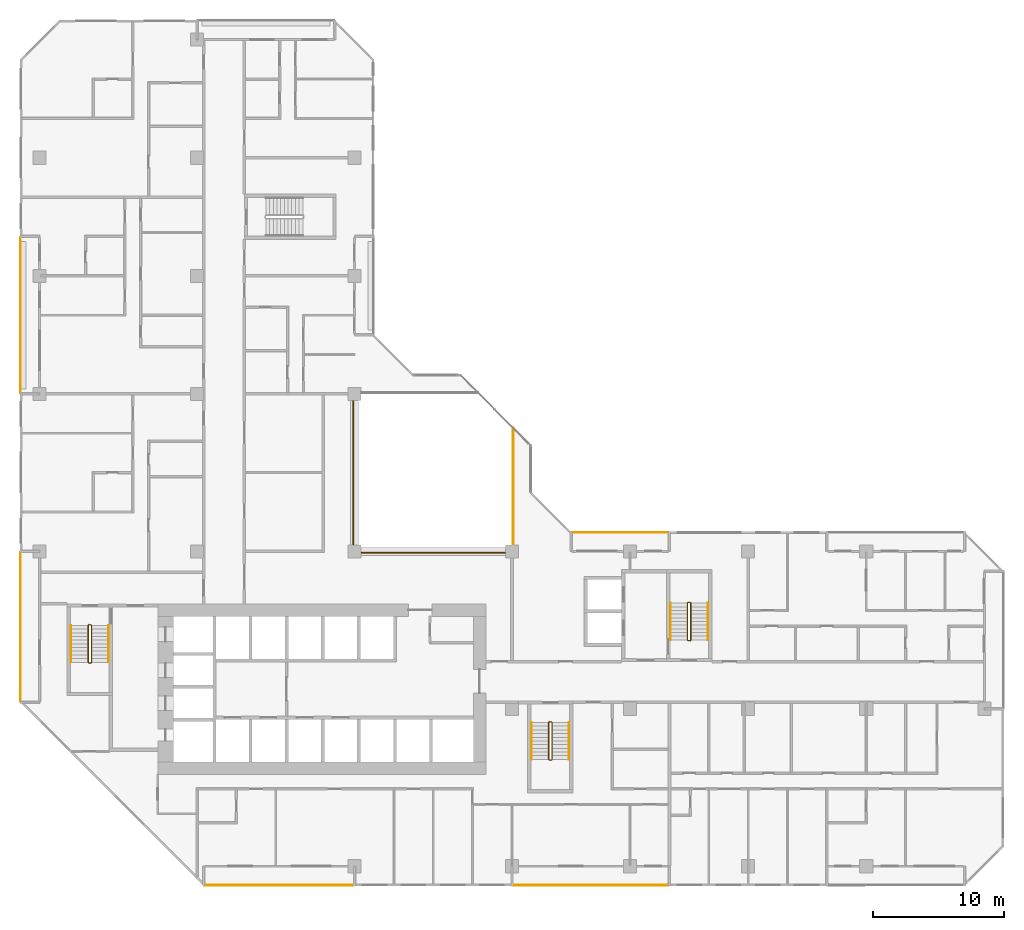
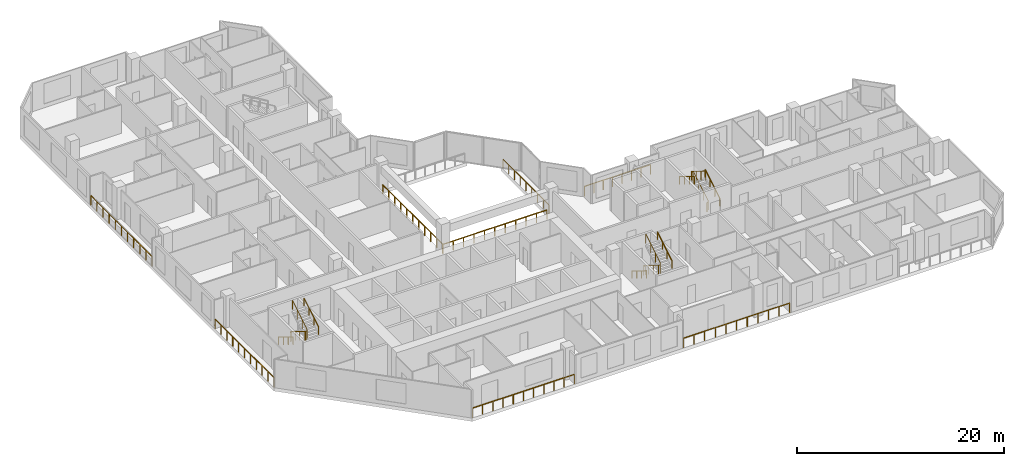
# One storey, part 14 of 15: 16 railings.
"""IFC4 building model written with IfcOpenShell, lengths in metres."""

from ifc_helpers import new_model, si_unit, direction, frame, origin, origin_2d, place, context, subcontext, project, spatial, rectangle, extrude, material, type_object, element, save


model = new_model("IFC4")

# Units and contexts
model_context = context("Model", 3, precision=1e-05, world=origin(), true_north=direction((0.0, 1.0)))
body_context = subcontext(model_context, "Body", "Model", "MODEL_VIEW")
ifc_project = project(units=[si_unit("LENGTHUNIT", "METRE"), si_unit("AREAUNIT", "SQUARE_METRE"), si_unit("VOLUMEUNIT", "CUBIC_METRE"), si_unit("PLANEANGLEUNIT", "RADIAN"), si_unit("MASSUNIT", "GRAM", prefix="KILO")], contexts=[model_context])

# Site, building, storey
site_placement = place(None, origin())
site = spatial("IfcSite", under=ifc_project, at=site_placement, CompositionType="ELEMENT")
building_placement = place(site_placement, origin())
building = spatial("IfcBuilding", under=site, at=building_placement, Name="Chenar Terraces", CompositionType="ELEMENT")
storey_placement = place(building_placement, frame((0.0, 0.0, 133.14990234375)))
storey = spatial("IfcBuildingStorey", under=building, at=storey_placement, Name="L31", CompositionType="ELEMENT", Elevation=133.14990234375)

# Railings
ifc_material_1 = material(Name="Powder-coated steel", Category="steel")
railing_type_1 = type_object("IfcRailingType", Name="Guard 1100 steel rail with glass infill", PredefinedType="GUARDRAIL", material=ifc_material_1)
railing_1_placement = place(storey_placement, frame((23.89990234375, 35.5, 0.0)))
element("IfcRailing", 1, at=railing_1_placement, inside=storey, type_object=railing_type_1, Name="Guard L31-1", PredefinedType="GUARDRAIL", context=body_context, shape_type="SweptSolid", body=[
    extrude(rectangle(XDim=0.06005859375, YDim=0.06005859375, at=origin_2d()), frame((0.0, 0.0, 1.070068359375), z_axis=(0.0, -1.0, 0.0), x_axis=(1.0, 0.0, 0.0)), (0.0, 0.0, 1.0), 11.60009765625),
    extrude(rectangle(XDim=0.06005859375, YDim=0.06005859375, at=origin_2d()), frame((0.0, -11.60009765625, 1.070068359375), z_axis=(1.0, 0.0, 0.0), x_axis=(0.0, 1.0, 0.0)), (0.0, 0.0, 1.0), 11.60009765625),
    extrude(rectangle(XDim=0.050048828125, YDim=0.050048828125, at=origin_2d()), origin(), (0.0, 0.0, 1.0), 1.0400390625),
    extrude(rectangle(XDim=0.050048828125, YDim=0.050048828125, at=origin_2d()), frame((0.0, -1.159912109375, 0.0)), (0.0, 0.0, 1.0), 1.0400390625),
    extrude(rectangle(XDim=0.050048828125, YDim=0.050048828125, at=origin_2d()), frame((0.0, -2.320068359375, 0.0)), (0.0, 0.0, 1.0), 1.0400390625),
    extrude(rectangle(XDim=0.050048828125, YDim=0.050048828125, at=origin_2d()), frame((0.0, -3.47998046875, 0.0)), (0.0, 0.0, 1.0), 1.0400390625),
    extrude(rectangle(XDim=0.050048828125, YDim=0.050048828125, at=origin_2d()), frame((0.0, -4.64013671875, 0.0)), (0.0, 0.0, 1.0), 1.0400390625),
    extrude(rectangle(XDim=0.050048828125, YDim=0.050048828125, at=origin_2d()), frame((0.0, -5.800048828125, 0.0)), (0.0, 0.0, 1.0), 1.0400390625),
    extrude(rectangle(XDim=0.050048828125, YDim=0.050048828125, at=origin_2d()), frame((0.0, -6.9599609375, 0.0)), (0.0, 0.0, 1.0), 1.0400390625),
    extrude(rectangle(XDim=0.050048828125, YDim=0.050048828125, at=origin_2d()), frame((0.0, -8.1201171875, 0.0)), (0.0, 0.0, 1.0), 1.0400390625),
    extrude(rectangle(XDim=0.050048828125, YDim=0.050048828125, at=origin_2d()), frame((0.0, -9.280029296875, 0.0)), (0.0, 0.0, 1.0), 1.0400390625),
    extrude(rectangle(XDim=0.050048828125, YDim=0.050048828125, at=origin_2d()), frame((0.0, -10.440185546875, 0.0)), (0.0, 0.0, 1.0), 1.0400390625),
    extrude(rectangle(XDim=0.050048828125, YDim=0.050048828125, at=origin_2d()), frame((0.0, -11.60009765625, 0.0)), (0.0, 0.0, 1.0), 1.0400390625),
    extrude(rectangle(XDim=0.050048828125, YDim=0.050048828125, at=origin_2d()), frame((1.159912109375, -11.60009765625, 0.0)), (0.0, 0.0, 1.0), 1.0400390625),
    extrude(rectangle(XDim=0.050048828125, YDim=0.050048828125, at=origin_2d()), frame((2.320068359375, -11.60009765625, 0.0)), (0.0, 0.0, 1.0), 1.0400390625),
    extrude(rectangle(XDim=0.050048828125, YDim=0.050048828125, at=origin_2d()), frame((3.47998046875, -11.60009765625, 0.0)), (0.0, 0.0, 1.0), 1.0400390625),
    extrude(rectangle(XDim=0.050048828125, YDim=0.050048828125, at=origin_2d()), frame((4.64013671875, -11.60009765625, 0.0)), (0.0, 0.0, 1.0), 1.0400390625),
    extrude(rectangle(XDim=0.050048828125, YDim=0.050048828125, at=origin_2d()), frame((5.800048828125, -11.60009765625, 0.0)), (0.0, 0.0, 1.0), 1.0400390625),
    extrude(rectangle(XDim=0.050048828125, YDim=0.050048828125, at=origin_2d()), frame((6.9599609375, -11.60009765625, 0.0)), (0.0, 0.0, 1.0), 1.0400390625),
    extrude(rectangle(XDim=0.050048828125, YDim=0.050048828125, at=origin_2d()), frame((8.1201171875, -11.60009765625, 0.0)), (0.0, 0.0, 1.0), 1.0400390625),
    extrude(rectangle(XDim=0.050048828125, YDim=0.050048828125, at=origin_2d()), frame((9.280029296875, -11.60009765625, 0.0)), (0.0, 0.0, 1.0), 1.0400390625),
    extrude(rectangle(XDim=0.050048828125, YDim=0.050048828125, at=origin_2d()), frame((10.440185546875, -11.60009765625, 0.0)), (0.0, 0.0, 1.0), 1.0400390625),
    extrude(rectangle(XDim=0.050048828125, YDim=0.050048828125, at=origin_2d()), frame((11.60009765625, -11.60009765625, 0.0)), (0.0, 0.0, 1.0), 1.0400390625),
])
railing_2_placement = place(storey_placement, frame((36.10009765625, 24.550048828125, 0.0)))
element("IfcRailing", 2, at=railing_2_placement, inside=storey, type_object=railing_type_1, Name="Guard L31-3", PredefinedType="GUARDRAIL", context=body_context, shape_type="SweptSolid", body=[
    extrude(rectangle(XDim=0.06005859375, YDim=0.06005859375, at=origin_2d()), frame((0.0, 0.0, 1.070068359375), z_axis=(0.0, 1.0, 0.0), x_axis=(-1.0, 0.0, 0.0)), (0.0, 0.0, 1.0), 8.849853515625),
    extrude(rectangle(XDim=0.050048828125, YDim=0.050048828125, at=origin_2d()), origin(), (0.0, 0.0, 1.0), 1.0400390625),
    extrude(rectangle(XDim=0.050048828125, YDim=0.050048828125, at=origin_2d()), frame((0.0, 1.106201171875, 0.0)), (0.0, 0.0, 1.0), 1.0400390625),
    extrude(rectangle(XDim=0.050048828125, YDim=0.050048828125, at=origin_2d()), frame((0.0, 2.21240234375, 0.0)), (0.0, 0.0, 1.0), 1.0400390625),
    extrude(rectangle(XDim=0.050048828125, YDim=0.050048828125, at=origin_2d()), frame((0.0, 3.318603515625, 0.0)), (0.0, 0.0, 1.0), 1.0400390625),
    extrude(rectangle(XDim=0.050048828125, YDim=0.050048828125, at=origin_2d()), frame((0.0, 4.4248046875, 0.0)), (0.0, 0.0, 1.0), 1.0400390625),
    extrude(rectangle(XDim=0.050048828125, YDim=0.050048828125, at=origin_2d()), frame((0.0, 5.53125, 0.0)), (0.0, 0.0, 1.0), 1.0400390625),
    extrude(rectangle(XDim=0.050048828125, YDim=0.050048828125, at=origin_2d()), frame((0.0, 6.637451171875, 0.0)), (0.0, 0.0, 1.0), 1.0400390625),
    extrude(rectangle(XDim=0.050048828125, YDim=0.050048828125, at=origin_2d()), frame((0.0, 7.74365234375, 0.0)), (0.0, 0.0, 1.0), 1.0400390625),
    extrude(rectangle(XDim=0.050048828125, YDim=0.050048828125, at=origin_2d()), frame((0.0, 8.849853515625, 0.0)), (0.0, 0.0, 1.0), 1.0400390625),
])
ifc_material_2 = material(Name="Stainless steel and glass", Category="steel")
railing_type_2 = type_object("IfcRailingType", Name="Loggia guard 1150", PredefinedType="GUARDRAIL", material=ifc_material_2)
railing_3_placement = place(storey_placement, frame((47.925048828125, 25.449951171875, 0.0)))
element("IfcRailing", 3, at=railing_3_placement, inside=storey, type_object=railing_type_2, Name="Loggia guard", PredefinedType="GUARDRAIL", context=body_context, shape_type="SweptSolid", body=[
    extrude(rectangle(XDim=0.048095703125, YDim=0.048095703125, at=origin_2d()), frame((0.0, 0.0, 1.1259765625), z_axis=(-1.0, 0.0, 0.0), x_axis=(0.0, -1.0, 0.0)), (0.0, 0.0, 1.0), 7.35009765625),
    extrude(rectangle(XDim=0.0419921875, YDim=0.0419921875, at=origin_2d()), origin(), (0.0, 0.0, 1.0), 1.101806640625),
    extrude(rectangle(XDim=0.0419921875, YDim=0.0419921875, at=origin_2d()), frame((-1.050048828125, 0.0, 0.0)), (0.0, 0.0, 1.0), 1.101806640625),
    extrude(rectangle(XDim=0.0419921875, YDim=0.0419921875, at=origin_2d()), frame((-2.10009765625, 0.0, 0.0)), (0.0, 0.0, 1.0), 1.101806640625),
    extrude(rectangle(XDim=0.0419921875, YDim=0.0419921875, at=origin_2d()), frame((-3.150146484375, 0.0, 0.0)), (0.0, 0.0, 1.0), 1.101806640625),
    extrude(rectangle(XDim=0.0419921875, YDim=0.0419921875, at=origin_2d()), frame((-4.199951171875, 0.0, 0.0)), (0.0, 0.0, 1.0), 1.101806640625),
    extrude(rectangle(XDim=0.0419921875, YDim=0.0419921875, at=origin_2d()), frame((-5.25, 0.0, 0.0)), (0.0, 0.0, 1.0), 1.101806640625),
    extrude(rectangle(XDim=0.0419921875, YDim=0.0419921875, at=origin_2d()), frame((-6.300048828125, 0.0, 0.0)), (0.0, 0.0, 1.0), 1.101806640625),
    extrude(rectangle(XDim=0.0419921875, YDim=0.0419921875, at=origin_2d()), frame((-7.35009765625, 0.0, 0.0)), (0.0, 0.0, 1.0), 1.101806640625),
])
railing_4_placement = place(storey_placement, frame((12.574951171875, -1.449951171875, 0.0)))
element("IfcRailing", 4, at=railing_4_placement, inside=storey, type_object=railing_type_2, Name="Loggia guard", PredefinedType="GUARDRAIL", context=body_context, shape_type="SweptSolid", body=[
    extrude(rectangle(XDim=0.048095703125, YDim=0.048095703125, at=origin_2d()), frame((0.0, 0.0, 1.1259765625), z_axis=(1.0, 0.0, 0.0), x_axis=(0.0, 1.0, 0.0)), (0.0, 0.0, 1.0), 11.35009765625),
    extrude(rectangle(XDim=0.0419921875, YDim=0.0419921875, at=origin_2d()), origin(), (0.0, 0.0, 1.0), 1.101806640625),
    extrude(rectangle(XDim=0.0419921875, YDim=0.0419921875, at=origin_2d()), frame((1.135009765625, 0.0, 0.0)), (0.0, 0.0, 1.0), 1.101806640625),
    extrude(rectangle(XDim=0.0419921875, YDim=0.0419921875, at=origin_2d()), frame((2.27001953125, 0.0, 0.0)), (0.0, 0.0, 1.0), 1.101806640625),
    extrude(rectangle(XDim=0.0419921875, YDim=0.0419921875, at=origin_2d()), frame((3.405029296875, 0.0, 0.0)), (0.0, 0.0, 1.0), 1.101806640625),
    extrude(rectangle(XDim=0.0419921875, YDim=0.0419921875, at=origin_2d()), frame((4.5400390625, 0.0, 0.0)), (0.0, 0.0, 1.0), 1.101806640625),
    extrude(rectangle(XDim=0.0419921875, YDim=0.0419921875, at=origin_2d()), frame((5.675048828125, 0.0, 0.0)), (0.0, 0.0, 1.0), 1.101806640625),
    extrude(rectangle(XDim=0.0419921875, YDim=0.0419921875, at=origin_2d()), frame((6.81005859375, 0.0, 0.0)), (0.0, 0.0, 1.0), 1.101806640625),
    extrude(rectangle(XDim=0.0419921875, YDim=0.0419921875, at=origin_2d()), frame((7.945068359375, 0.0, 0.0)), (0.0, 0.0, 1.0), 1.101806640625),
    extrude(rectangle(XDim=0.0419921875, YDim=0.0419921875, at=origin_2d()), frame((9.080078125, 0.0, 0.0)), (0.0, 0.0, 1.0), 1.101806640625),
    extrude(rectangle(XDim=0.0419921875, YDim=0.0419921875, at=origin_2d()), frame((10.215087890625, 0.0, 0.0)), (0.0, 0.0, 1.0), 1.101806640625),
    extrude(rectangle(XDim=0.0419921875, YDim=0.0419921875, at=origin_2d()), frame((11.35009765625, 0.0, 0.0)), (0.0, 0.0, 1.0), 1.101806640625),
])
railing_5_placement = place(storey_placement, frame((36.074951171875, -1.449951171875, 0.0)))
element("IfcRailing", 5, at=railing_5_placement, inside=storey, type_object=railing_type_2, Name="Loggia guard", PredefinedType="GUARDRAIL", context=body_context, shape_type="SweptSolid", body=[
    extrude(rectangle(XDim=0.048095703125, YDim=0.048095703125, at=origin_2d()), frame((0.0, 0.0, 1.1259765625), z_axis=(1.0, 0.0, 0.0), x_axis=(0.0, 1.0, 0.0)), (0.0, 0.0, 1.0), 11.85009765625),
    extrude(rectangle(XDim=0.0419921875, YDim=0.0419921875, at=origin_2d()), origin(), (0.0, 0.0, 1.0), 1.101806640625),
    extrude(rectangle(XDim=0.0419921875, YDim=0.0419921875, at=origin_2d()), frame((1.18505859375, 0.0, 0.0)), (0.0, 0.0, 1.0), 1.101806640625),
    extrude(rectangle(XDim=0.0419921875, YDim=0.0419921875, at=origin_2d()), frame((2.3701171875, 0.0, 0.0)), (0.0, 0.0, 1.0), 1.101806640625),
    extrude(rectangle(XDim=0.0419921875, YDim=0.0419921875, at=origin_2d()), frame((3.554931640625, 0.0, 0.0)), (0.0, 0.0, 1.0), 1.101806640625),
    extrude(rectangle(XDim=0.0419921875, YDim=0.0419921875, at=origin_2d()), frame((4.739990234375, 0.0, 0.0)), (0.0, 0.0, 1.0), 1.101806640625),
    extrude(rectangle(XDim=0.0419921875, YDim=0.0419921875, at=origin_2d()), frame((5.925048828125, 0.0, 0.0)), (0.0, 0.0, 1.0), 1.101806640625),
    extrude(rectangle(XDim=0.0419921875, YDim=0.0419921875, at=origin_2d()), frame((7.110107421875, 0.0, 0.0)), (0.0, 0.0, 1.0), 1.101806640625),
    extrude(rectangle(XDim=0.0419921875, YDim=0.0419921875, at=origin_2d()), frame((8.295166015625, 0.0, 0.0)), (0.0, 0.0, 1.0), 1.101806640625),
    extrude(rectangle(XDim=0.0419921875, YDim=0.0419921875, at=origin_2d()), frame((9.47998046875, 0.0, 0.0)), (0.0, 0.0, 1.0), 1.101806640625),
    extrude(rectangle(XDim=0.0419921875, YDim=0.0419921875, at=origin_2d()), frame((10.6650390625, 0.0, 0.0)), (0.0, 0.0, 1.0), 1.101806640625),
    extrude(rectangle(XDim=0.0419921875, YDim=0.0419921875, at=origin_2d()), frame((11.85009765625, 0.0, 0.0)), (0.0, 0.0, 1.0), 1.101806640625),
])
railing_6_placement = place(storey_placement, frame((-1.449951171875, 47.925048828125, 0.0)))
element("IfcRailing", 6, at=railing_6_placement, inside=storey, type_object=railing_type_2, Name="Loggia guard", PredefinedType="GUARDRAIL", context=body_context, shape_type="SweptSolid", body=[
    extrude(rectangle(XDim=0.048095703125, YDim=0.048095703125, at=origin_2d()), frame((0.0, 0.0, 1.1259765625), z_axis=(0.0, -1.0, 0.0), x_axis=(1.0, 0.0, 0.0)), (0.0, 0.0, 1.0), 11.85009765625),
    extrude(rectangle(XDim=0.0419921875, YDim=0.0419921875, at=origin_2d()), origin(), (0.0, 0.0, 1.0), 1.101806640625),
    extrude(rectangle(XDim=0.0419921875, YDim=0.0419921875, at=origin_2d()), frame((0.0, -1.18505859375, 0.0)), (0.0, 0.0, 1.0), 1.101806640625),
    extrude(rectangle(XDim=0.0419921875, YDim=0.0419921875, at=origin_2d()), frame((0.0, -2.3701171875, 0.0)), (0.0, 0.0, 1.0), 1.101806640625),
    extrude(rectangle(XDim=0.0419921875, YDim=0.0419921875, at=origin_2d()), frame((0.0, -3.554931640625, 0.0)), (0.0, 0.0, 1.0), 1.101806640625),
    extrude(rectangle(XDim=0.0419921875, YDim=0.0419921875, at=origin_2d()), frame((0.0, -4.739990234375, 0.0)), (0.0, 0.0, 1.0), 1.101806640625),
    extrude(rectangle(XDim=0.0419921875, YDim=0.0419921875, at=origin_2d()), frame((0.0, -5.925048828125, 0.0)), (0.0, 0.0, 1.0), 1.101806640625),
    extrude(rectangle(XDim=0.0419921875, YDim=0.0419921875, at=origin_2d()), frame((0.0, -7.110107421875, 0.0)), (0.0, 0.0, 1.0), 1.101806640625),
    extrude(rectangle(XDim=0.0419921875, YDim=0.0419921875, at=origin_2d()), frame((0.0, -8.295166015625, 0.0)), (0.0, 0.0, 1.0), 1.101806640625),
    extrude(rectangle(XDim=0.0419921875, YDim=0.0419921875, at=origin_2d()), frame((0.0, -9.47998046875, 0.0)), (0.0, 0.0, 1.0), 1.101806640625),
    extrude(rectangle(XDim=0.0419921875, YDim=0.0419921875, at=origin_2d()), frame((0.0, -10.6650390625, 0.0)), (0.0, 0.0, 1.0), 1.101806640625),
    extrude(rectangle(XDim=0.0419921875, YDim=0.0419921875, at=origin_2d()), frame((0.0, -11.85009765625, 0.0)), (0.0, 0.0, 1.0), 1.101806640625),
])
railing_7_placement = place(storey_placement, frame((-1.449951171875, 23.925048828125, 0.0)))
element("IfcRailing", 7, at=railing_7_placement, inside=storey, type_object=railing_type_2, Name="Loggia guard", PredefinedType="GUARDRAIL", context=body_context, shape_type="SweptSolid", body=[
    extrude(rectangle(XDim=0.048095703125, YDim=0.048095703125, at=origin_2d()), frame((0.0, 0.0, 1.1259765625), z_axis=(0.0, -1.0, 0.0), x_axis=(1.0, 0.0, 0.0)), (0.0, 0.0, 1.0), 11.35009765625),
    extrude(rectangle(XDim=0.0419921875, YDim=0.0419921875, at=origin_2d()), origin(), (0.0, 0.0, 1.0), 1.101806640625),
    extrude(rectangle(XDim=0.0419921875, YDim=0.0419921875, at=origin_2d()), frame((0.0, -1.135009765625, 0.0)), (0.0, 0.0, 1.0), 1.101806640625),
    extrude(rectangle(XDim=0.0419921875, YDim=0.0419921875, at=origin_2d()), frame((0.0, -2.27001953125, 0.0)), (0.0, 0.0, 1.0), 1.101806640625),
    extrude(rectangle(XDim=0.0419921875, YDim=0.0419921875, at=origin_2d()), frame((0.0, -3.405029296875, 0.0)), (0.0, 0.0, 1.0), 1.101806640625),
    extrude(rectangle(XDim=0.0419921875, YDim=0.0419921875, at=origin_2d()), frame((0.0, -4.5400390625, 0.0)), (0.0, 0.0, 1.0), 1.101806640625),
    extrude(rectangle(XDim=0.0419921875, YDim=0.0419921875, at=origin_2d()), frame((0.0, -5.675048828125, 0.0)), (0.0, 0.0, 1.0), 1.101806640625),
    extrude(rectangle(XDim=0.0419921875, YDim=0.0419921875, at=origin_2d()), frame((0.0, -6.81005859375, 0.0)), (0.0, 0.0, 1.0), 1.101806640625),
    extrude(rectangle(XDim=0.0419921875, YDim=0.0419921875, at=origin_2d()), frame((0.0, -7.945068359375, 0.0)), (0.0, 0.0, 1.0), 1.101806640625),
    extrude(rectangle(XDim=0.0419921875, YDim=0.0419921875, at=origin_2d()), frame((0.0, -9.080078125, 0.0)), (0.0, 0.0, 1.0), 1.101806640625),
    extrude(rectangle(XDim=0.0419921875, YDim=0.0419921875, at=origin_2d()), frame((0.0, -10.215087890625, 0.0)), (0.0, 0.0, 1.0), 1.101806640625),
    extrude(rectangle(XDim=0.0419921875, YDim=0.0419921875, at=origin_2d()), frame((0.0, -11.35009765625, 0.0)), (0.0, 0.0, 1.0), 1.101806640625),
])
ifc_material_3 = material(Name="Powder-coated steel", Category="steel")
railing_type_3 = type_object("IfcRailingType", Name="Stair guard 1100", PredefinedType="GUARDRAIL", material=ifc_material_3)
railing_8_placement = place(storey_placement, frame((3.949951171875, 18.35009765625, 3.75)))
element("IfcRailing", 8, at=railing_8_placement, inside=storey, type_object=railing_type_3, Name="L31 ST1 stair guard 1", PredefinedType="GUARDRAIL", context=body_context, shape_type="SweptSolid", body=[
    extrude(rectangle(XDim=0.048095703125, YDim=0.048095703125, at=origin_2d()), frame((0.0, 0.0, 1.076171875), z_axis=(0.0, -0.854202870247, -0.519939858505), x_axis=(1.0, 0.0, 0.0)), (0.0, 0.0, 1.0), 3.278076171875),
    extrude(rectangle(XDim=0.048095703125, YDim=0.048095703125, at=origin_2d()), frame((0.0, -2.800048828125, -0.62841796875), z_axis=(-0.270899902878, -0.270899902878, -0.923702595667), x_axis=(0.707106781187, -0.707106781187, 0.0)), (0.0, 0.0, 1.0), 0.184814453125),
    extrude(rectangle(XDim=0.048095703125, YDim=0.048095703125, at=origin_2d()), frame((-0.050048828125, -2.85009765625, -0.798828125), z_axis=(-1.0, 0.0, 0.0), x_axis=(0.0, -1.0, 0.0)), (0.0, 0.0, 1.0), 0.14990234375),
    extrude(rectangle(XDim=0.048095703125, YDim=0.048095703125, at=origin_2d()), frame((-0.199951171875, -2.85009765625, -0.798828125), z_axis=(-0.707106781187, 0.707106781187, 0.0), x_axis=(-0.707106781187, -0.707106781187, 0.0)), (0.0, 0.0, 1.0), 0.07080078125),
    extrude(rectangle(XDim=0.048095703125, YDim=0.048095703125, at=origin_2d()), frame((-0.25, -2.800048828125, -0.798828125), z_axis=(0.0, 0.854202870247, -0.519939858505), x_axis=(-1.0, 0.0, 0.0)), (0.0, 0.0, 1.0), 3.278076171875),
    extrude(rectangle(XDim=0.048095703125, YDim=0.048095703125, at=origin_2d()), frame((-0.25, 0.0, -2.50341796875), z_axis=(0.270996696079, 0.269674760976, -0.924032636873), x_axis=(-0.705375805398, 0.708833529934, 0.0)), (0.0, 0.0, 1.0), 0.1845703125),
    extrude(rectangle(XDim=0.048095703125, YDim=0.048095703125, at=origin_2d()), frame((-0.199951171875, 0.0498046875, -2.673828125), z_axis=(1.0, 0.0, 0.0), x_axis=(0.0, 1.0, 0.0)), (0.0, 0.0, 1.0), 0.14990234375),
    extrude(rectangle(XDim=0.0419921875, YDim=0.0419921875, at=origin_2d()), origin(), (0.0, 0.0, 1.0), 1.052001953125),
    extrude(rectangle(XDim=0.0419921875, YDim=0.0419921875, at=origin_2d()), frame((0.0, -0.933349609375, -0.568115234375)), (0.0, 0.0, 1.0), 1.052001953125),
    extrude(rectangle(XDim=0.0419921875, YDim=0.0419921875, at=origin_2d()), frame((0.0, -1.86669921875, -1.13623046875)), (0.0, 0.0, 1.0), 1.052001953125),
    extrude(rectangle(XDim=0.0419921875, YDim=0.0419921875, at=origin_2d()), frame((0.0, -2.800048828125, -1.704345703125)), (0.0, 0.0, 1.0), 1.052001953125),
    extrude(rectangle(XDim=0.0419921875, YDim=0.0419921875, at=origin_2d()), frame((-0.050048828125, -2.85009765625, -1.875)), (0.0, 0.0, 1.0), 1.052001953125),
    extrude(rectangle(XDim=0.0419921875, YDim=0.0419921875, at=origin_2d()), frame((-0.199951171875, -2.85009765625, -1.875)), (0.0, 0.0, 1.0), 1.052001953125),
    extrude(rectangle(XDim=0.0419921875, YDim=0.0419921875, at=origin_2d()), frame((-0.25, -2.800048828125, -1.875)), (0.0, 0.0, 1.0), 1.052001953125),
    extrude(rectangle(XDim=0.0419921875, YDim=0.0419921875, at=origin_2d()), frame((-0.25, -1.86669921875, -2.443115234375)), (0.0, 0.0, 1.0), 1.052001953125),
    extrude(rectangle(XDim=0.0419921875, YDim=0.0419921875, at=origin_2d()), frame((-0.25, -0.933349609375, -3.01123046875)), (0.0, 0.0, 1.0), 1.052001953125),
    extrude(rectangle(XDim=0.0419921875, YDim=0.0419921875, at=origin_2d()), frame((-0.25, 0.0, -3.579345703125)), (0.0, 0.0, 1.0), 1.052001953125),
    extrude(rectangle(XDim=0.0419921875, YDim=0.0419921875, at=origin_2d()), frame((-0.199951171875, 0.0498046875, -3.75)), (0.0, 0.0, 1.0), 1.052001953125),
    extrude(rectangle(XDim=0.0419921875, YDim=0.0419921875, at=origin_2d()), frame((-0.050048828125, 0.0498046875, -3.75)), (0.0, 0.0, 1.0), 1.052001953125),
])
railing_9_placement = place(storey_placement, frame((39.050048828125, 10.949951171875, 3.75)))
element("IfcRailing", 9, at=railing_9_placement, inside=storey, type_object=railing_type_3, Name="L31 ST2 stair guard 1", PredefinedType="GUARDRAIL", context=body_context, shape_type="SweptSolid", body=[
    extrude(rectangle(XDim=0.048095703125, YDim=0.048095703125, at=origin_2d()), frame((0.0, 0.0, 1.076171875), z_axis=(0.0, -0.854202870247, -0.519939858505), x_axis=(1.0, 0.0, 0.0)), (0.0, 0.0, 1.0), 3.278076171875),
    extrude(rectangle(XDim=0.048095703125, YDim=0.048095703125, at=origin_2d()), frame((0.0, -2.800048828125, -0.62841796875), z_axis=(-0.270996696079, -0.269674760976, -0.924032636873), x_axis=(0.705375805398, -0.708833529934, 0.0)), (0.0, 0.0, 1.0), 0.1845703125),
    extrude(rectangle(XDim=0.048095703125, YDim=0.048095703125, at=origin_2d()), frame((-0.050048828125, -2.849853515625, -0.798828125), z_axis=(-1.0, 0.0, 0.0), x_axis=(0.0, -1.0, 0.0)), (0.0, 0.0, 1.0), 0.14990234375),
    extrude(rectangle(XDim=0.048095703125, YDim=0.048095703125, at=origin_2d()), frame((-0.199951171875, -2.849853515625, -0.798828125), z_axis=(-0.708833529934, 0.705375805398, 0.0), x_axis=(-0.705375805398, -0.708833529934, 0.0)), (0.0, 0.0, 1.0), 0.070556640625),
    extrude(rectangle(XDim=0.048095703125, YDim=0.048095703125, at=origin_2d()), frame((-0.25, -2.800048828125, -0.798828125), z_axis=(0.0, 0.854202870247, -0.519939858505), x_axis=(-1.0, 0.0, 0.0)), (0.0, 0.0, 1.0), 3.278076171875),
    extrude(rectangle(XDim=0.048095703125, YDim=0.048095703125, at=origin_2d()), frame((-0.25, 0.0, -2.50341796875), z_axis=(0.270899902878, 0.270899902878, -0.923702595667), x_axis=(-0.707106781187, 0.707106781187, 0.0)), (0.0, 0.0, 1.0), 0.184814453125),
    extrude(rectangle(XDim=0.048095703125, YDim=0.048095703125, at=origin_2d()), frame((-0.199951171875, 0.050048828125, -2.673828125), z_axis=(1.0, 0.0, 0.0), x_axis=(0.0, 1.0, 0.0)), (0.0, 0.0, 1.0), 0.14990234375),
    extrude(rectangle(XDim=0.0419921875, YDim=0.0419921875, at=origin_2d()), origin(), (0.0, 0.0, 1.0), 1.052001953125),
    extrude(rectangle(XDim=0.0419921875, YDim=0.0419921875, at=origin_2d()), frame((0.0, -0.933349609375, -0.568115234375)), (0.0, 0.0, 1.0), 1.052001953125),
    extrude(rectangle(XDim=0.0419921875, YDim=0.0419921875, at=origin_2d()), frame((0.0, -1.86669921875, -1.13623046875)), (0.0, 0.0, 1.0), 1.052001953125),
    extrude(rectangle(XDim=0.0419921875, YDim=0.0419921875, at=origin_2d()), frame((0.0, -2.800048828125, -1.704345703125)), (0.0, 0.0, 1.0), 1.052001953125),
    extrude(rectangle(XDim=0.0419921875, YDim=0.0419921875, at=origin_2d()), frame((-0.050048828125, -2.849853515625, -1.875)), (0.0, 0.0, 1.0), 1.052001953125),
    extrude(rectangle(XDim=0.0419921875, YDim=0.0419921875, at=origin_2d()), frame((-0.199951171875, -2.849853515625, -1.875)), (0.0, 0.0, 1.0), 1.052001953125),
    extrude(rectangle(XDim=0.0419921875, YDim=0.0419921875, at=origin_2d()), frame((-0.25, -2.800048828125, -1.875)), (0.0, 0.0, 1.0), 1.052001953125),
    extrude(rectangle(XDim=0.0419921875, YDim=0.0419921875, at=origin_2d()), frame((-0.25, -1.86669921875, -2.443115234375)), (0.0, 0.0, 1.0), 1.052001953125),
    extrude(rectangle(XDim=0.0419921875, YDim=0.0419921875, at=origin_2d()), frame((-0.25, -0.933349609375, -3.01123046875)), (0.0, 0.0, 1.0), 1.052001953125),
    extrude(rectangle(XDim=0.0419921875, YDim=0.0419921875, at=origin_2d()), frame((-0.25, 0.0, -3.579345703125)), (0.0, 0.0, 1.0), 1.052001953125),
    extrude(rectangle(XDim=0.0419921875, YDim=0.0419921875, at=origin_2d()), frame((-0.199951171875, 0.050048828125, -3.75)), (0.0, 0.0, 1.0), 1.052001953125),
    extrude(rectangle(XDim=0.0419921875, YDim=0.0419921875, at=origin_2d()), frame((-0.050048828125, 0.050048828125, -3.75)), (0.0, 0.0, 1.0), 1.052001953125),
])
railing_10_placement = place(storey_placement, frame((49.375, 17.25, 3.75)))
element("IfcRailing", 10, at=railing_10_placement, inside=storey, type_object=railing_type_3, Name="L31 ST3 stair guard 1", PredefinedType="GUARDRAIL", context=body_context, shape_type="SweptSolid", body=[
    extrude(rectangle(XDim=0.048095703125, YDim=0.048095703125, at=origin_2d()), frame((0.0, 0.0, 1.076171875), z_axis=(0.0, 0.854202870247, -0.519939858505), x_axis=(-1.0, 0.0, 0.0)), (0.0, 0.0, 1.0), 3.278076171875),
    extrude(rectangle(XDim=0.048095703125, YDim=0.048095703125, at=origin_2d()), frame((0.0, 2.800048828125, -0.62841796875), z_axis=(0.270899902878, 0.270899902878, -0.923702595667), x_axis=(-0.707106781187, 0.707106781187, 0.0)), (0.0, 0.0, 1.0), 0.184814453125),
    extrude(rectangle(XDim=0.048095703125, YDim=0.048095703125, at=origin_2d()), frame((0.050048828125, 2.85009765625, -0.798828125), z_axis=(1.0, 0.0, 0.0), x_axis=(0.0, 1.0, 0.0)), (0.0, 0.0, 1.0), 0.14990234375),
    extrude(rectangle(XDim=0.048095703125, YDim=0.048095703125, at=origin_2d()), frame((0.199951171875, 2.85009765625, -0.798828125), z_axis=(0.707106781187, -0.707106781187, 0.0), x_axis=(0.707106781187, 0.707106781187, 0.0)), (0.0, 0.0, 1.0), 0.07080078125),
    extrude(rectangle(XDim=0.048095703125, YDim=0.048095703125, at=origin_2d()), frame((0.25, 2.800048828125, -0.798828125), z_axis=(0.0, -0.854202870247, -0.519939858505), x_axis=(1.0, 0.0, 0.0)), (0.0, 0.0, 1.0), 3.278076171875),
    extrude(rectangle(XDim=0.048095703125, YDim=0.048095703125, at=origin_2d()), frame((0.25, 0.0, -2.50341796875), z_axis=(-0.270899902878, -0.270899902878, -0.923702595667), x_axis=(0.707106781187, -0.707106781187, 0.0)), (0.0, 0.0, 1.0), 0.184814453125),
    extrude(rectangle(XDim=0.048095703125, YDim=0.048095703125, at=origin_2d()), frame((0.199951171875, -0.050048828125, -2.673828125), z_axis=(-1.0, 0.0, 0.0), x_axis=(0.0, -1.0, 0.0)), (0.0, 0.0, 1.0), 0.14990234375),
    extrude(rectangle(XDim=0.0419921875, YDim=0.0419921875, at=origin_2d()), origin(), (0.0, 0.0, 1.0), 1.052001953125),
    extrude(rectangle(XDim=0.0419921875, YDim=0.0419921875, at=origin_2d()), frame((0.0, 0.933349609375, -0.568115234375)), (0.0, 0.0, 1.0), 1.052001953125),
    extrude(rectangle(XDim=0.0419921875, YDim=0.0419921875, at=origin_2d()), frame((0.0, 1.86669921875, -1.13623046875)), (0.0, 0.0, 1.0), 1.052001953125),
    extrude(rectangle(XDim=0.0419921875, YDim=0.0419921875, at=origin_2d()), frame((0.0, 2.800048828125, -1.704345703125)), (0.0, 0.0, 1.0), 1.052001953125),
    extrude(rectangle(XDim=0.0419921875, YDim=0.0419921875, at=origin_2d()), frame((0.050048828125, 2.85009765625, -1.875)), (0.0, 0.0, 1.0), 1.052001953125),
    extrude(rectangle(XDim=0.0419921875, YDim=0.0419921875, at=origin_2d()), frame((0.199951171875, 2.85009765625, -1.875)), (0.0, 0.0, 1.0), 1.052001953125),
    extrude(rectangle(XDim=0.0419921875, YDim=0.0419921875, at=origin_2d()), frame((0.25, 2.800048828125, -1.875)), (0.0, 0.0, 1.0), 1.052001953125),
    extrude(rectangle(XDim=0.0419921875, YDim=0.0419921875, at=origin_2d()), frame((0.25, 1.86669921875, -2.443115234375)), (0.0, 0.0, 1.0), 1.052001953125),
    extrude(rectangle(XDim=0.0419921875, YDim=0.0419921875, at=origin_2d()), frame((0.25, 0.933349609375, -3.01123046875)), (0.0, 0.0, 1.0), 1.052001953125),
    extrude(rectangle(XDim=0.0419921875, YDim=0.0419921875, at=origin_2d()), frame((0.25, 0.0, -3.579345703125)), (0.0, 0.0, 1.0), 1.052001953125),
    extrude(rectangle(XDim=0.0419921875, YDim=0.0419921875, at=origin_2d()), frame((0.199951171875, -0.050048828125, -3.75)), (0.0, 0.0, 1.0), 1.052001953125),
    extrude(rectangle(XDim=0.0419921875, YDim=0.0419921875, at=origin_2d()), frame((0.050048828125, -0.050048828125, -3.75)), (0.0, 0.0, 1.0), 1.052001953125),
])
ifc_material_4 = material(Name="Powder-coated steel", Category="steel")
railing_type_4 = type_object("IfcRailingType", Name="Stair handrail 900", PredefinedType="HANDRAIL", material=ifc_material_4)
railing_11_placement = place(storey_placement, frame((2.39990234375, 18.35009765625, 0.170654296875)))
element("IfcRailing", 11, at=railing_11_placement, inside=storey, type_object=railing_type_4, Name="L31 ST1 stair handrail 1", PredefinedType="HANDRAIL", context=body_context, shape_type="SweptSolid", body=[
    extrude(rectangle(XDim=0.048095703125, YDim=0.048095703125, at=origin_2d()), frame((0.0, 0.0, 0.8759765625), z_axis=(0.0, -0.854202870247, 0.519939858505), x_axis=(1.0, 0.0, 0.0)), (0.0, 0.0, 1.0), 3.278076171875),
    extrude(rectangle(XDim=0.0419921875, YDim=0.0419921875, at=origin_2d()), origin(), (0.0, 0.0, 1.0), 0.851806640625),
    extrude(rectangle(XDim=0.0419921875, YDim=0.0419921875, at=origin_2d()), frame((0.0, -0.933349609375, 0.568115234375)), (0.0, 0.0, 1.0), 0.851806640625),
    extrude(rectangle(XDim=0.0419921875, YDim=0.0419921875, at=origin_2d()), frame((0.0, -1.86669921875, 1.13623046875)), (0.0, 0.0, 1.0), 0.851806640625),
    extrude(rectangle(XDim=0.0419921875, YDim=0.0419921875, at=origin_2d()), frame((0.0, -2.800048828125, 1.704345703125)), (0.0, 0.0, 1.0), 0.851806640625),
])
railing_12_placement = place(storey_placement, frame((5.25, 15.550048828125, 2.045654296875)))
element("IfcRailing", 12, at=railing_12_placement, inside=storey, type_object=railing_type_4, Name="L31 ST1 stair handrail 2", PredefinedType="HANDRAIL", context=body_context, shape_type="SweptSolid", body=[
    extrude(rectangle(XDim=0.048095703125, YDim=0.048095703125, at=origin_2d()), frame((0.0, 0.0, 0.8759765625), z_axis=(0.0, 0.854202870247, 0.519939858505), x_axis=(-1.0, 0.0, 0.0)), (0.0, 0.0, 1.0), 3.278076171875),
    extrude(rectangle(XDim=0.0419921875, YDim=0.0419921875, at=origin_2d()), origin(), (0.0, 0.0, 1.0), 0.851806640625),
    extrude(rectangle(XDim=0.0419921875, YDim=0.0419921875, at=origin_2d()), frame((0.0, 0.933349609375, 0.568115234375)), (0.0, 0.0, 1.0), 0.851806640625),
    extrude(rectangle(XDim=0.0419921875, YDim=0.0419921875, at=origin_2d()), frame((0.0, 1.86669921875, 1.13623046875)), (0.0, 0.0, 1.0), 0.851806640625),
    extrude(rectangle(XDim=0.0419921875, YDim=0.0419921875, at=origin_2d()), frame((0.0, 2.800048828125, 1.704345703125)), (0.0, 0.0, 1.0), 0.851806640625),
])
railing_13_placement = place(storey_placement, frame((37.5, 10.949951171875, 0.170654296875)))
element("IfcRailing", 13, at=railing_13_placement, inside=storey, type_object=railing_type_4, Name="L31 ST2 stair handrail 1", PredefinedType="HANDRAIL", context=body_context, shape_type="SweptSolid", body=[
    extrude(rectangle(XDim=0.048095703125, YDim=0.048095703125, at=origin_2d()), frame((0.0, 0.0, 0.8759765625), z_axis=(0.0, -0.854202870247, 0.519939858505), x_axis=(1.0, 0.0, 0.0)), (0.0, 0.0, 1.0), 3.278076171875),
    extrude(rectangle(XDim=0.0419921875, YDim=0.0419921875, at=origin_2d()), origin(), (0.0, 0.0, 1.0), 0.851806640625),
    extrude(rectangle(XDim=0.0419921875, YDim=0.0419921875, at=origin_2d()), frame((0.0, -0.933349609375, 0.568115234375)), (0.0, 0.0, 1.0), 0.851806640625),
    extrude(rectangle(XDim=0.0419921875, YDim=0.0419921875, at=origin_2d()), frame((0.0, -1.86669921875, 1.13623046875)), (0.0, 0.0, 1.0), 0.851806640625),
    extrude(rectangle(XDim=0.0419921875, YDim=0.0419921875, at=origin_2d()), frame((0.0, -2.800048828125, 1.704345703125)), (0.0, 0.0, 1.0), 0.851806640625),
])
for number, where, name in (
    (14, (40.35009765625, 8.14990234375, 2.045654296875), "L31 ST2 stair handrail 2"),
    (15, (50.925048828125, 17.25, 0.170654296875), "L31 ST3 stair handrail 1"),
):
    element("IfcRailing", number, at=place(storey_placement, frame(where)), inside=storey, type_object=railing_type_4, Name=name, PredefinedType="HANDRAIL", context=body_context, shape_type="SweptSolid", body=[
        extrude(rectangle(XDim=0.048095703125, YDim=0.048095703125, at=origin_2d()), frame((0.0, 0.0, 0.8759765625), z_axis=(0.0, 0.854202870247, 0.519939858505), x_axis=(-1.0, 0.0, 0.0)), (0.0, 0.0, 1.0), 3.278076171875),
        extrude(rectangle(XDim=0.0419921875, YDim=0.0419921875, at=origin_2d()), origin(), (0.0, 0.0, 1.0), 0.851806640625),
        extrude(rectangle(XDim=0.0419921875, YDim=0.0419921875, at=origin_2d()), frame((0.0, 0.933349609375, 0.568115234375)), (0.0, 0.0, 1.0), 0.851806640625),
        extrude(rectangle(XDim=0.0419921875, YDim=0.0419921875, at=origin_2d()), frame((0.0, 1.86669921875, 1.13623046875)), (0.0, 0.0, 1.0), 0.851806640625),
        extrude(rectangle(XDim=0.0419921875, YDim=0.0419921875, at=origin_2d()), frame((0.0, 2.800048828125, 1.704345703125)), (0.0, 0.0, 1.0), 0.851806640625),
    ])
railing_14_placement = place(storey_placement, frame((48.074951171875, 20.050048828125, 2.045654296875)))
element("IfcRailing", 16, at=railing_14_placement, inside=storey, type_object=railing_type_4, Name="L31 ST3 stair handrail 2", PredefinedType="HANDRAIL", context=body_context, shape_type="SweptSolid", body=[
    extrude(rectangle(XDim=0.048095703125, YDim=0.048095703125, at=origin_2d()), frame((0.0, 0.0, 0.8759765625), z_axis=(0.0, -0.854202870247, 0.519939858505), x_axis=(1.0, 0.0, 0.0)), (0.0, 0.0, 1.0), 3.278076171875),
    extrude(rectangle(XDim=0.0419921875, YDim=0.0419921875, at=origin_2d()), origin(), (0.0, 0.0, 1.0), 0.851806640625),
    extrude(rectangle(XDim=0.0419921875, YDim=0.0419921875, at=origin_2d()), frame((0.0, -0.933349609375, 0.568115234375)), (0.0, 0.0, 1.0), 0.851806640625),
    extrude(rectangle(XDim=0.0419921875, YDim=0.0419921875, at=origin_2d()), frame((0.0, -1.86669921875, 1.13623046875)), (0.0, 0.0, 1.0), 0.851806640625),
    extrude(rectangle(XDim=0.0419921875, YDim=0.0419921875, at=origin_2d()), frame((0.0, -2.800048828125, 1.704345703125)), (0.0, 0.0, 1.0), 0.851806640625),
])

save(model, "model.ifc")
